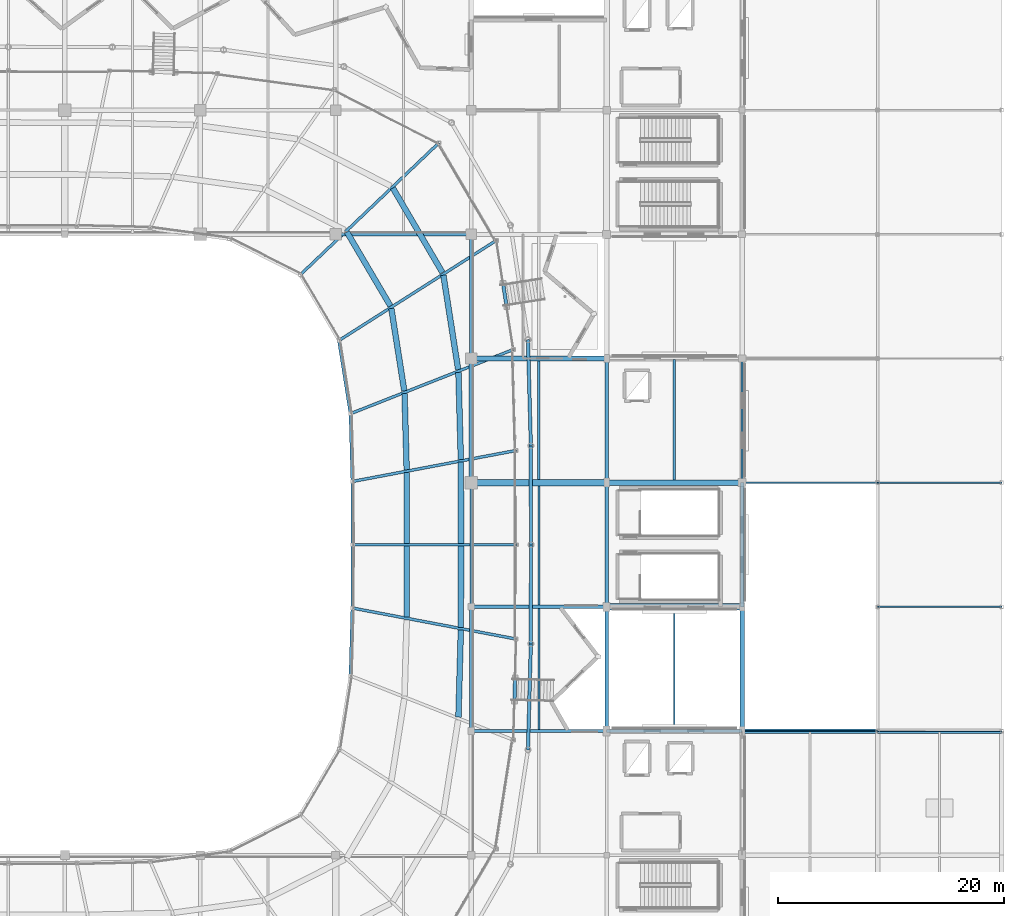
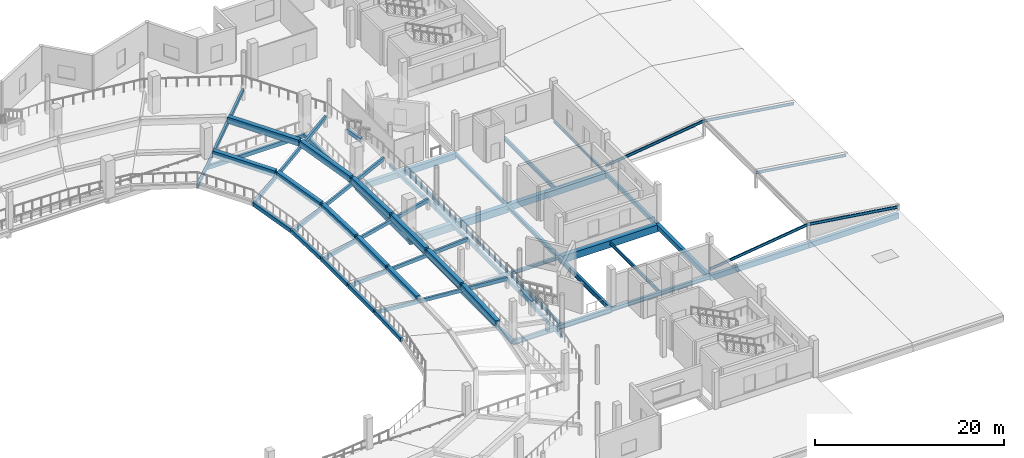
# One storey, part 33 of 77: 58 beams.
"""IFC4 building model written with IfcOpenShell, lengths in metres."""

from ifc_helpers import new_model, si_unit, direction, frame, origin, origin_2d, place, context, subcontext, project, spatial, rectangle, hollow_rectangle, i_section, extrude, material, material_profile, profile_set, type_object, element, save


model = new_model("IFC4")

# Units and contexts
model_context = context("Model", 3, precision=1e-05, world=origin(), true_north=direction((0.0, 1.0)))
body_context = subcontext(model_context, "Body", "Model", "MODEL_VIEW")
ifc_project = project(units=[si_unit("LENGTHUNIT", "METRE"), si_unit("AREAUNIT", "SQUARE_METRE"), si_unit("VOLUMEUNIT", "CUBIC_METRE"), si_unit("PLANEANGLEUNIT", "RADIAN"), si_unit("MASSUNIT", "GRAM", prefix="KILO")], contexts=[model_context])

# Site, building, storey
site_placement = place(None, origin())
site = spatial("IfcSite", under=ifc_project, at=site_placement, CompositionType="ELEMENT")
building_placement = place(site_placement, origin())
building = spatial("IfcBuilding", under=site, at=building_placement, Name="Luwafu Chhajja Arena", CompositionType="ELEMENT")
storey_placement = place(building_placement, frame((0.0, 0.0, 14.699951171875)))
storey = spatial("IfcBuildingStorey", under=building, at=storey_placement, Name="L03", CompositionType="ELEMENT", Elevation=14.699951171875)

# Beams
ifc_material_1 = material(Name="Steel S355", Category="steel")
ifc_material_profile_1 = material_profile(ifc_material_1, i_section(OverallWidth=0.1259765625, OverallDepth=0.353515625, WebThickness=0.006591796875, FlangeThickness=0.0107421875, at=origin_2d()), Name="UB 356x127x39")
ifc_profile_set_1 = profile_set([ifc_material_profile_1], Name="Steel S355")
beam_type_1 = type_object("IfcBeamType", Name="Canopy Joist UB 356x127x39", PredefinedType="JOIST", material=ifc_profile_set_1)
beam_1_placement = place(storey_placement, frame((176.0, 33.0, 1.920166015625), z_axis=(0.98958518785, 0.0, -0.143948449067), x_axis=(0.0, 1.0, 0.0)))
element("IfcBeam", 1, at=beam_1_placement, inside=storey, type_object=beam_type_1, Name="East Pavilion Rafter E 3", PredefinedType="JOIST", context=body_context, shape_type="SweptSolid", body=[
    extrude(i_section(OverallWidth=0.1259765625, OverallDepth=0.353515625, WebThickness=0.006591796875, FlangeThickness=0.0107421875, at=origin_2d()), origin(), (0.0, 0.0, 1.0), 11.11572265625),
])
beam_2_placement = place(storey_placement, frame((164.0, 33.0, 0.320068359375), z_axis=(0.991226843888, 0.0, 0.13217164581), x_axis=(0.0, 1.0, 0.0)))
element("IfcBeam", 2, at=beam_2_placement, inside=storey, type_object=beam_type_1, Name="East Pavilion Rafter W 3", PredefinedType="JOIST", context=body_context, shape_type="SweptSolid", body=[
    extrude(i_section(OverallWidth=0.1259765625, OverallDepth=0.353515625, WebThickness=0.006591796875, FlangeThickness=0.0107421875, at=origin_2d()), origin(), (0.0, 0.0, 1.0), 12.106201171875),
])
for number, where, z_axis, x_axis, name in (
    (3, (176.0, 44.0, 1.920166015625), (0.98958518785, 0.0, -0.143948449067), (0.0, 1.0, 0.0), "East Pavilion Rafter E 4"),
    (4, (176.0, 55.0, 1.920166015625), (0.98958518785, 0.0, -0.143948449067), (0.0, 1.0, 0.0), "East Pavilion Rafter E 5"),
):
    element("IfcBeam", number, at=place(storey_placement, frame(where, z_axis=z_axis, x_axis=x_axis)), inside=storey, type_object=beam_type_1, Name=name, PredefinedType="JOIST", context=body_context, shape_type="SweptSolid", body=[
        extrude(i_section(OverallWidth=0.1259765625, OverallDepth=0.353515625, WebThickness=0.006591796875, FlangeThickness=0.0107421875, at=origin_2d()), origin(), (0.0, 0.0, 1.0), 11.11572265625),
    ])
beam_3_placement = place(storey_placement, frame((164.0, 55.0, 0.320068359375), z_axis=(0.991226843888, 0.0, 0.13217164581), x_axis=(0.0, 1.0, 0.0)))
element("IfcBeam", 5, at=beam_3_placement, inside=storey, type_object=beam_type_1, Name="East Pavilion Rafter W 5", PredefinedType="JOIST", context=body_context, shape_type="SweptSolid", body=[
    extrude(i_section(OverallWidth=0.1259765625, OverallDepth=0.353515625, WebThickness=0.006591796875, FlangeThickness=0.0107421875, at=origin_2d()), origin(), (0.0, 0.0, 1.0), 12.106201171875),
])
ifc_material_profile_2 = material_profile(ifc_material_1, hollow_rectangle(XDim=0.25, YDim=0.449951171875, WallThickness=0.01611328125, at=origin_2d()), Name="RHS 450x250x16")
ifc_profile_set_2 = profile_set([ifc_material_profile_2], Name="Steel S355")
beam_type_2 = type_object("IfcBeamType", Name="Cantilevered Upper Bowl Raker RHS 450x250", PredefinedType="USERDEFINED", material=ifc_profile_set_2)
beam_4_placement = place(storey_placement, frame((129.5, 49.5, 0.239990234375), z_axis=(0.997723937694, 0.0, 0.067431032562), x_axis=(0.0, 1.0, 0.0)))
element("IfcBeam", 6, at=beam_4_placement, inside=storey, type_object=beam_type_2, Name="Upper Bowl Raker RKR-U01", ObjectType="RAKER", PredefinedType="USERDEFINED", context=body_context, shape_type="SweptSolid", body=[
    extrude(hollow_rectangle(XDim=0.25, YDim=0.449951171875, WallThickness=0.01611328125, at=origin_2d()), origin(), (0.0, 0.0, 1.0), 14.532958984375),
])
beam_5_placement = place(storey_placement, frame((129.49169921875, 55.10791015625, 0.239990234375), z_axis=(0.980389588619, 0.185589783348, 0.066277347897), x_axis=(-0.185998750089, 0.982549980899, 0.0)))
element("IfcBeam", 7, at=beam_5_placement, inside=storey, type_object=beam_type_2, Name="Upper Bowl Raker RKR-U02", ObjectType="RAKER", PredefinedType="USERDEFINED", context=body_context, shape_type="SweptSolid", body=[
    extrude(hollow_rectangle(XDim=0.25, YDim=0.449951171875, WallThickness=0.01611328125, at=origin_2d()), origin(), (0.0, 0.0, 1.0), 14.7861328125),
])
beam_6_placement = place(storey_placement, frame((129.323486328125, 61.11328125, 0.239990234375), z_axis=(0.928463965144, 0.366020596475, 0.063115674639), x_axis=(-0.366751819568, 0.930318817849, 0.0)))
element("IfcBeam", 8, at=beam_6_placement, inside=storey, type_object=beam_type_2, Name="Upper Bowl Raker RKR-U03", ObjectType="RAKER", PredefinedType="USERDEFINED", context=body_context, shape_type="SweptSolid", body=[
    extrude(hollow_rectangle(XDim=0.25, YDim=0.449951171875, WallThickness=0.01611328125, at=origin_2d()), origin(), (0.0, 0.0, 1.0), 15.52685546875),
])
beam_7_placement = place(storey_placement, frame((128.298583984375, 67.600341796875, 0.239990234375), z_axis=(0.842344515342, 0.535670990695, 0.059264721387), x_axis=(-0.536614196584, 0.843827709917, 0.0)))
element("IfcBeam", 9, at=beam_7_placement, inside=storey, type_object=beam_type_2, Name="Upper Bowl Raker RKR-U04", ObjectType="RAKER", PredefinedType="USERDEFINED", context=body_context, shape_type="SweptSolid", body=[
    extrude(hollow_rectangle(XDim=0.25, YDim=0.449951171875, WallThickness=0.01611328125, at=origin_2d()), origin(), (0.0, 0.0, 1.0), 16.53564453125),
])
beam_8_placement = place(storey_placement, frame((124.85986328125, 73.409912109375, 0.239990234375), z_axis=(0.723171081086, 0.688259076596, 0.057645736744), x_axis=(-0.689405487669, 0.724375643966, 0.0)))
element("IfcBeam", 10, at=beam_8_placement, inside=storey, type_object=beam_type_2, Name="Upper Bowl Raker RKR-U05", ObjectType="RAKER", PredefinedType="USERDEFINED", context=body_context, shape_type="SweptSolid", body=[
    extrude(hollow_rectangle(XDim=0.25, YDim=0.449951171875, WallThickness=0.01611328125, at=origin_2d()), origin(), (0.0, 0.0, 1.0), 17.0),
])
beam_9_placement = place(storey_placement, frame((129.49169921875, 43.89208984375, 0.239990234375), z_axis=(0.980389588619, -0.185589783348, 0.066277347897), x_axis=(0.185998750089, 0.982549980899, 0.0)))
element("IfcBeam", 11, at=beam_9_placement, inside=storey, type_object=beam_type_2, Name="Upper Bowl Raker RKR-U32", ObjectType="RAKER", PredefinedType="USERDEFINED", context=body_context, shape_type="SweptSolid", body=[
    extrude(hollow_rectangle(XDim=0.25, YDim=0.449951171875, WallThickness=0.01611328125, at=origin_2d()), origin(), (0.0, 0.0, 1.0), 14.7861328125),
])
ifc_material_profile_3 = material_profile(ifc_material_1, i_section(OverallWidth=0.165771484375, OverallDepth=0.306640625, WebThickness=0.006591796875, FlangeThickness=0.01171875, at=origin_2d()), Name="UB 305x165x46")
ifc_profile_set_3 = profile_set([ifc_material_profile_3], Name="Steel S355")
beam_type_3 = type_object("IfcBeamType", Name="Concourse Edge Spandrel Beam UB 305x165x46", PredefinedType="SPANDREL", material=ifc_profile_set_3)
for number, where, z_axis, x_axis, name in (
    (12, (140.0, 44.0, -0.543212890625), (0.0, 1.0, 0.0), (-1.0, 0.0, 0.0), "L03 Grid Beam 13/E-F"),
    (13, (164.0, 55.0, -0.543212890625), (0.0, 1.0, 0.0), (-1.0, 0.0, 0.0), "L03 Grid Beam 15/F-G"),
):
    element("IfcBeam", number, at=place(storey_placement, frame(where, z_axis=z_axis, x_axis=x_axis)), inside=storey, type_object=beam_type_3, Name=name, PredefinedType="SPANDREL", context=body_context, shape_type="SweptSolid", body=[
        extrude(i_section(OverallWidth=0.165771484375, OverallDepth=0.306640625, WebThickness=0.006591796875, FlangeThickness=0.01171875, at=origin_2d()), origin(), (0.0, 0.0, 1.0), 11.0),
    ])
ifc_material_2 = material(Name="Concrete C35/45", Category="concrete")
ifc_material_profile_4 = material_profile(ifc_material_2, rectangle(XDim=0.60009765625, YDim=0.89990234375, at=origin_2d()), Name="RC 600x900")
ifc_profile_set_4 = profile_set([ifc_material_profile_4], Name="Concrete C35/45")
beam_type_4 = type_object("IfcBeamType", Name="Concourse Primary Girder RC 600x900", PredefinedType="BEAM", material=ifc_profile_set_4)
beam_10_placement = place(storey_placement, frame((152.0, 44.0, -0.83984375), z_axis=(1.0, 0.0, 0.0), x_axis=(0.0, 1.0, 0.0)))
element("IfcBeam", 14, at=beam_10_placement, inside=storey, type_object=beam_type_4, Name="L03 Grid Beam 14-15/E", PredefinedType="BEAM", context=body_context, shape_type="SweptSolid", body=[
    extrude(rectangle(XDim=0.60009765625, YDim=0.89990234375, at=origin_2d()), origin(), (0.0, 0.0, 1.0), 12.0),
])
ifc_material_profile_5 = material_profile(ifc_material_2, rectangle(XDim=0.550048828125, YDim=0.949951171875, at=origin_2d()), Name="RC 550x950")
ifc_profile_set_5 = profile_set([ifc_material_profile_5], Name="Concrete C35/45")
beam_type_5 = type_object("IfcBeamType", Name="Concourse Radial Girder RC 550x950", PredefinedType="BEAM", material=ifc_profile_set_5)
beam_11_placement = place(storey_placement, frame((140.0, 55.0, -0.864990234375), z_axis=(1.0, 0.0, 0.0), x_axis=(0.0, 1.0, 0.0)))
element("IfcBeam", 15, at=beam_11_placement, inside=storey, type_object=beam_type_5, Name="L03 Grid Beam 13-14/F", PredefinedType="BEAM", context=body_context, shape_type="SweptSolid", body=[
    extrude(rectangle(XDim=0.550048828125, YDim=0.949951171875, at=origin_2d()), origin(), (0.0, 0.0, 1.0), 12.0),
])
ifc_material_profile_6 = material_profile(ifc_material_1, i_section(OverallWidth=0.15283203125, OverallDepth=0.45458984375, WebThickness=0.008056640625, FlangeThickness=0.01318359375, at=origin_2d()), Name="UB 457x152x60")
ifc_profile_set_6 = profile_set([ifc_material_profile_6], Name="Steel S355")
beam_type_6 = type_object("IfcBeamType", Name="Floor Joist UB 457x152x60", PredefinedType="JOIST", material=ifc_profile_set_6)
beam_12_placement = place(storey_placement, frame((146.0, 44.14990234375, -0.6171875), z_axis=(0.0, 1.0, 0.0), x_axis=(-1.0, 0.0, 0.0)))
element("IfcBeam", 16, at=beam_12_placement, inside=storey, type_object=beam_type_6, Name="L03 Secondary Joist 13-14/E", PredefinedType="JOIST", context=body_context, shape_type="SweptSolid", body=[
    extrude(i_section(OverallWidth=0.15283203125, OverallDepth=0.45458984375, WebThickness=0.008056640625, FlangeThickness=0.01318359375, at=origin_2d()), origin(), (0.0, 0.0, 1.0), 10.5751953125),
])
beam_13_placement = place(storey_placement, frame((158.0, 33.14990234375, -0.6171875), z_axis=(0.0, 1.0, 0.0), x_axis=(-1.0, 0.0, 0.0)))
element("IfcBeam", 17, at=beam_13_placement, inside=storey, type_object=beam_type_6, Name="L03 Secondary Joist 14-15/D", PredefinedType="JOIST", context=body_context, shape_type="SweptSolid", body=[
    extrude(i_section(OverallWidth=0.15283203125, OverallDepth=0.45458984375, WebThickness=0.008056640625, FlangeThickness=0.01318359375, at=origin_2d()), origin(), (0.0, 0.0, 1.0), 10.550048828125),
])
ifc_material_profile_7 = material_profile(ifc_material_1, i_section(OverallWidth=0.19140625, OverallDepth=0.4599609375, WebThickness=0.010009765625, FlangeThickness=0.01611328125, at=origin_2d()), Name="UB 457x191x82")
ifc_profile_set_7 = profile_set([ifc_material_profile_7], Name="Steel S355")
beam_type_7 = type_object("IfcBeamType", Name="Floor Joist UB 457x191x82", PredefinedType="JOIST", material=ifc_profile_set_7)
beam_14_placement = place(storey_placement, frame((146.0, 33.14990234375, -0.619873046875), z_axis=(0.0, 1.0, 0.0), x_axis=(-1.0, 0.0, 0.0)))
element("IfcBeam", 18, at=beam_14_placement, inside=storey, type_object=beam_type_7, Name="L03 Secondary Joist 13-14/D", PredefinedType="JOIST", context=body_context, shape_type="SweptSolid", body=[
    extrude(i_section(OverallWidth=0.19140625, OverallDepth=0.4599609375, WebThickness=0.010009765625, FlangeThickness=0.01611328125, at=origin_2d()), origin(), (0.0, 0.0, 1.0), 10.7001953125),
])
ifc_material_profile_8 = material_profile(ifc_material_1, i_section(OverallWidth=0.2099609375, OverallDepth=0.53662109375, WebThickness=0.0107421875, FlangeThickness=0.017333984375, at=origin_2d()), Name="UB 533x210x101")
ifc_profile_set_8 = profile_set([ifc_material_profile_8], Name="Steel S355")
beam_type_8 = type_object("IfcBeamType", Name="Floor Joist UB 533x210x101", PredefinedType="JOIST", material=ifc_profile_set_8)
beam_15_placement = place(storey_placement, frame((146.0, 55.27490234375, -0.658203125), z_axis=(0.0, 1.0, 0.0), x_axis=(-1.0, 0.0, 0.0)))
element("IfcBeam", 19, at=beam_15_placement, inside=storey, type_object=beam_type_8, Name="L03 Secondary Joist 13-14/F", PredefinedType="JOIST", context=body_context, shape_type="SweptSolid", body=[
    extrude(i_section(OverallWidth=0.2099609375, OverallDepth=0.53662109375, WebThickness=0.0107421875, FlangeThickness=0.017333984375, at=origin_2d()), origin(), (0.0, 0.0, 1.0), 10.5),
])
ifc_material_profile_9 = material_profile(ifc_material_1, i_section(OverallWidth=0.209228515625, OverallDepth=0.533203125, WebThickness=0.010009765625, FlangeThickness=0.015625, at=origin_2d()), Name="UB 533x210x92")
ifc_profile_set_9 = profile_set([ifc_material_profile_9], Name="Steel S355")
beam_type_9 = type_object("IfcBeamType", Name="Floor Joist UB 533x210x92", PredefinedType="JOIST", material=ifc_profile_set_9)
beam_16_placement = place(storey_placement, frame((158.0, 55.25, -0.656494140625), z_axis=(0.0, 1.0, 0.0), x_axis=(-1.0, 0.0, 0.0)))
element("IfcBeam", 20, at=beam_16_placement, inside=storey, type_object=beam_type_9, Name="L03 Secondary Joist 14-15/F", PredefinedType="JOIST", context=body_context, shape_type="SweptSolid", body=[
    extrude(i_section(OverallWidth=0.209228515625, OverallDepth=0.533203125, WebThickness=0.010009765625, FlangeThickness=0.015625, at=origin_2d()), origin(), (0.0, 0.0, 1.0), 10.667236328125),
])
ifc_material_profile_10 = material_profile(ifc_material_2, rectangle(XDim=0.5, YDim=0.800048828125, at=origin_2d()), Name="RC 500x800")
ifc_profile_set_10 = profile_set([ifc_material_profile_10], Name="Concrete C35/45")
beam_type_10 = type_object("IfcBeamType", Name="Hospitality Primary Beam RC 500x800", PredefinedType="BEAM", material=ifc_profile_set_10)
beam_17_placement = place(storey_placement, frame((152.0, 55.0, -0.7900390625), z_axis=(1.0, 0.0, 0.0), x_axis=(0.0, 1.0, 0.0)))
element("IfcBeam", 21, at=beam_17_placement, inside=storey, type_object=beam_type_10, Name="L03 Grid Beam 14-15/F", PredefinedType="BEAM", context=body_context, shape_type="SweptSolid", body=[
    extrude(rectangle(XDim=0.5, YDim=0.800048828125, at=origin_2d()), origin(), (0.0, 0.0, 1.0), 12.0),
])
beam_18_placement = place(storey_placement, frame((134.2998046875, 49.625, 0.800048828125), z_axis=(-0.001440079463, 0.999998963085, 0.0), x_axis=(-0.999998963085, -0.001440079463, 0.0)))
element("IfcBeam", 22, at=beam_18_placement, inside=storey, type_object=beam_type_10, Name="Upper Tier Ring Beam S01-B2", PredefinedType="BEAM", context=body_context, shape_type="SweptSolid", body=[
    extrude(rectangle(XDim=0.5, YDim=0.800048828125, at=origin_2d()), origin(), (0.0, 0.0, 1.0), 6.272705078125),
])
beam_19_placement = place(storey_placement, frame((139.099853515625, 49.625, 1.380126953125), z_axis=(-0.001460645882, 0.999998933256, 0.0), x_axis=(-0.999998933256, -0.001460645882, 0.0)))
element("IfcBeam", 23, at=beam_19_placement, inside=storey, type_object=beam_type_10, Name="Upper Tier Ring Beam S01-B3", PredefinedType="BEAM", context=body_context, shape_type="SweptSolid", body=[
    extrude(rectangle(XDim=0.5, YDim=0.800048828125, at=origin_2d()), origin(), (0.0, 0.0, 1.0), 7.187255859375),
])
beam_20_placement = place(storey_placement, frame((134.287109375, 56.147705078125, 0.800048828125), z_axis=(-0.027901842029, 0.999610667816, 0.0), x_axis=(-0.999610667816, -0.027901842029, 0.0)))
element("IfcBeam", 24, at=beam_20_placement, inside=storey, type_object=beam_type_10, Name="Upper Tier Ring Beam S02-B2", PredefinedType="BEAM", context=body_context, shape_type="SweptSolid", body=[
    extrude(rectangle(XDim=0.5, YDim=0.800048828125, at=origin_2d()), origin(), (0.0, 0.0, 1.0), 6.737548828125),
])
beam_21_placement = place(storey_placement, frame((139.085693359375, 57.062255859375, 1.380126953125), z_axis=(-0.027774969732, 0.999614201108, 0.0), x_axis=(-0.999614201108, -0.027774969732, 0.0)))
element("IfcBeam", 25, at=beam_21_placement, inside=storey, type_object=beam_type_10, Name="Upper Tier Ring Beam S02-B3", PredefinedType="BEAM", context=body_context, shape_type="SweptSolid", body=[
    extrude(rectangle(XDim=0.5, YDim=0.800048828125, at=origin_2d()), origin(), (0.0, 0.0, 1.0), 7.717529296875),
])
beam_22_placement = place(storey_placement, frame((134.076416015625, 63.131103515625, 0.800048828125), z_axis=(-0.1553465585, 0.987860033994, 0.0), x_axis=(-0.987860033994, -0.1553465585, 0.0)))
element("IfcBeam", 26, at=beam_22_placement, inside=storey, type_object=beam_type_10, Name="Upper Tier Ring Beam S03-B2", PredefinedType="BEAM", context=body_context, shape_type="SweptSolid", body=[
    extrude(rectangle(XDim=0.5, YDim=0.800048828125, at=origin_2d()), origin(), (0.0, 0.0, 1.0), 7.387939453125),
])
beam_23_placement = place(storey_placement, frame((138.8486328125, 65.025390625, 1.380126953125), z_axis=(-0.154767809248, 0.987950871866, 0.0), x_axis=(-0.987950871866, -0.154767809248, 0.0)))
element("IfcBeam", 27, at=beam_23_placement, inside=storey, type_object=beam_type_10, Name="Upper Tier Ring Beam S03-B3", PredefinedType="BEAM", context=body_context, shape_type="SweptSolid", body=[
    extrude(rectangle(XDim=0.5, YDim=0.800048828125, at=origin_2d()), origin(), (0.0, 0.0, 1.0), 8.458251953125),
])
beam_24_placement = place(storey_placement, frame((132.845947265625, 70.66064453125, 0.800048828125), z_axis=(-0.507517540406, 0.861641425525, 0.0), x_axis=(-0.861641425525, -0.507517540406, 0.0)))
element("IfcBeam", 28, at=beam_24_placement, inside=storey, type_object=beam_type_10, Name="Upper Tier Ring Beam S04-B2", PredefinedType="BEAM", context=body_context, shape_type="SweptSolid", body=[
    extrude(rectangle(XDim=0.5, YDim=0.800048828125, at=origin_2d()), origin(), (0.0, 0.0, 1.0), 7.591796875),
])
beam_25_placement = place(storey_placement, frame((137.45703125, 73.61328125, 1.380126953125), z_axis=(-0.506098278206, 0.862475815775, 0.0), x_axis=(-0.862475815775, -0.506098278206, 0.0)))
element("IfcBeam", 29, at=beam_25_placement, inside=storey, type_object=beam_type_10, Name="Upper Tier Ring Beam S04-B3", PredefinedType="BEAM", context=body_context, shape_type="SweptSolid", body=[
    extrude(rectangle(XDim=0.5, YDim=0.800048828125, at=origin_2d()), origin(), (0.0, 0.0, 1.0), 8.68310546875),
])
beam_26_placement = place(storey_placement, frame((138.871337890625, 34.22314453125, 1.380126953125), z_axis=(0.027774969732, 0.999614201108, 0.0), x_axis=(-0.999614201108, 0.027774969732, 0.0)))
element("IfcBeam", 30, at=beam_26_placement, inside=storey, type_object=beam_type_10, Name="Upper Tier Ring Beam S31-B3", PredefinedType="BEAM", context=body_context, shape_type="SweptSolid", body=[
    extrude(rectangle(XDim=0.5, YDim=0.800048828125, at=origin_2d()), origin(), (0.0, 0.0, 1.0), 7.717529296875),
])
beam_27_placement = place(storey_placement, frame((134.290771484375, 43.102294921875, 0.800048828125), z_axis=(0.001440079463, 0.999998963085, 0.0), x_axis=(-0.999998963085, 0.001440079463, 0.0)))
element("IfcBeam", 31, at=beam_27_placement, inside=storey, type_object=beam_type_10, Name="Upper Tier Ring Beam S32-B2", PredefinedType="BEAM", context=body_context, shape_type="SweptSolid", body=[
    extrude(rectangle(XDim=0.5, YDim=0.800048828125, at=origin_2d()), origin(), (0.0, 0.0, 1.0), 6.272705078125),
])
beam_28_placement = place(storey_placement, frame((139.08935546875, 42.187744140625, 1.380126953125), z_axis=(0.001460645882, 0.999998933256, 0.0), x_axis=(-0.999998933256, 0.001460645882, 0.0)))
element("IfcBeam", 32, at=beam_28_placement, inside=storey, type_object=beam_type_10, Name="Upper Tier Ring Beam S32-B3", PredefinedType="BEAM", context=body_context, shape_type="SweptSolid", body=[
    extrude(rectangle(XDim=0.5, YDim=0.800048828125, at=origin_2d()), origin(), (0.0, 0.0, 1.0), 7.187255859375),
])
ifc_material_profile_11 = material_profile(ifc_material_1, hollow_rectangle(XDim=0.300048828125, YDim=0.5, WallThickness=0.02001953125, at=origin_2d()), Name="RHS 500x300x20")
ifc_profile_set_11 = profile_set([ifc_material_profile_11], Name="Steel S355")
beam_type_11 = type_object("IfcBeamType", Name="Pleated Drum Spandrel Beam RHS 500x300", PredefinedType="SPANDREL", material=ifc_profile_set_11)
beam_29_placement = place(storey_placement, frame((128.0, 77.0, -0.639892578125), z_axis=(1.0, 0.0, 0.0), x_axis=(0.0, 1.0, 0.0)))
element("IfcBeam", 33, at=beam_29_placement, inside=storey, type_object=beam_type_11, Name="L03 Grid Beam 12-13/H", PredefinedType="SPANDREL", context=body_context, shape_type="SweptSolid", body=[
    extrude(hollow_rectangle(XDim=0.300048828125, YDim=0.5, WallThickness=0.02001953125, at=origin_2d()), origin(), (0.0, 0.0, 1.0), 12.0),
])
for number, where, z_axis, x_axis, name in (
    (34, (140.0, 33.0, -0.639892578125), (0.0, 1.0, 0.0), (-1.0, 0.0, 0.0), "L03 Grid Beam 13/D-E"),
    (35, (140.0, 66.0, -0.639892578125), (0.0, 1.0, 0.0), (-1.0, 0.0, 0.0), "L03 Grid Beam 13/G-H"),
    (36, (164.0, 44.0, -0.639892578125), (0.0, 1.0, 0.0), (-1.0, 0.0, 0.0), "L03 Grid Beam 15/E-F"),
):
    element("IfcBeam", number, at=place(storey_placement, frame(where, z_axis=z_axis, x_axis=x_axis)), inside=storey, type_object=beam_type_11, Name=name, PredefinedType="SPANDREL", context=body_context, shape_type="SweptSolid", body=[
        extrude(hollow_rectangle(XDim=0.300048828125, YDim=0.5, WallThickness=0.02001953125, at=origin_2d()), origin(), (0.0, 0.0, 1.0), 11.0),
    ])
beam_30_placement = place(storey_placement, frame((145.300048828125, 49.5, -0.639892578125), z_axis=(-0.001419780869, 0.999998992111, 0.0), x_axis=(-0.999998992111, -0.001419780869, 0.0)))
element("IfcBeam", 37, at=beam_30_placement, inside=storey, type_object=beam_type_11, Name="L03 Drum Ring Spandrel D01-D02", PredefinedType="SPANDREL", context=body_context, shape_type="SweptSolid", body=[
    extrude(hollow_rectangle(XDim=0.300048828125, YDim=0.5, WallThickness=0.02001953125, at=origin_2d()), origin(), (0.0, 0.0, 1.0), 8.769775390625),
])
for number, where, z_axis, x_axis, name in (
    (38, (145.28759765625, 58.269775390625, -0.639892578125), (-0.02720805866, 0.999629792245, 0.0), (-0.999629792245, -0.02720805866, 0.0), "L03 Drum Ring Spandrel D02-D03"),
    (39, (145.031982421875, 31.3388671875, -0.639892578125), (0.02720805866, 0.999629792245, 0.0), (-0.999629792245, 0.02720805866, 0.0), "L03 Drum Ring Spandrel D31-D32"),
):
    element("IfcBeam", number, at=place(storey_placement, frame(where, z_axis=z_axis, x_axis=x_axis)), inside=storey, type_object=beam_type_11, Name=name, PredefinedType="SPANDREL", context=body_context, shape_type="SweptSolid", body=[
        extrude(hollow_rectangle(XDim=0.300048828125, YDim=0.5, WallThickness=0.02001953125, at=origin_2d()), origin(), (0.0, 0.0, 1.0), 9.394775390625),
    ])
beam_31_placement = place(storey_placement, frame((145.28759765625, 40.730224609375, -0.639892578125), z_axis=(0.001419780869, 0.999998992111, 0.0), x_axis=(-0.999998992111, 0.001419780869, 0.0)))
element("IfcBeam", 40, at=beam_31_placement, inside=storey, type_object=beam_type_11, Name="L03 Drum Ring Spandrel D32-D01", PredefinedType="SPANDREL", context=body_context, shape_type="SweptSolid", body=[
    extrude(hollow_rectangle(XDim=0.300048828125, YDim=0.5, WallThickness=0.02001953125, at=origin_2d()), origin(), (0.0, 0.0, 1.0), 8.769775390625),
])
ifc_material_profile_12 = material_profile(ifc_material_2, rectangle(XDim=0.39990234375, YDim=0.60009765625, at=origin_2d()), Name="RC 400x600")
ifc_profile_set_12 = profile_set([ifc_material_profile_12], Name="Concrete C35/45")
beam_type_12 = type_object("IfcBeamType", Name="Podium Perimeter Spandrel RC 400x600", PredefinedType="SPANDREL", material=ifc_profile_set_12)
for number, where, z_axis, x_axis, name in (
    (41, (140.0, 55.0, -0.68994140625), (0.0, 1.0, 0.0), (-1.0, 0.0, 0.0), "L03 Grid Beam 13/F-G"),
    (42, (164.0, 33.0, -0.68994140625), (0.0, 1.0, 0.0), (-1.0, 0.0, 0.0), "L03 Grid Beam 15/D-E"),
):
    element("IfcBeam", number, at=place(storey_placement, frame(where, z_axis=z_axis, x_axis=x_axis)), inside=storey, type_object=beam_type_12, Name=name, PredefinedType="SPANDREL", context=body_context, shape_type="SweptSolid", body=[
        extrude(rectangle(XDim=0.39990234375, YDim=0.60009765625, at=origin_2d()), origin(), (0.0, 0.0, 1.0), 11.0),
    ])
ifc_material_profile_13 = material_profile(ifc_material_1, i_section(OverallWidth=0.300048828125, OverallDepth=0.5, WebThickness=0.014404296875, FlangeThickness=0.028076171875, at=origin_2d()), Name="HEB 500")
ifc_profile_set_13 = profile_set([ifc_material_profile_13], Name="Steel S355")
beam_type_13 = type_object("IfcBeamType", Name="Steel Atrium Tie Girder HEB 500", PredefinedType="BEAM", material=ifc_profile_set_13)
beam_32_placement = place(storey_placement, frame((152.0, 33.0, -0.639892578125), z_axis=(1.0, 0.0, 0.0), x_axis=(0.0, 1.0, 0.0)))
element("IfcBeam", 43, at=beam_32_placement, inside=storey, type_object=beam_type_13, Name="L03 Grid Beam 14-15/D", PredefinedType="BEAM", context=body_context, shape_type="SweptSolid", body=[
    extrude(i_section(OverallWidth=0.300048828125, OverallDepth=0.5, WebThickness=0.014404296875, FlangeThickness=0.028076171875, at=origin_2d()), origin(), (0.0, 0.0, 1.0), 12.0),
])
beam_33_placement = place(storey_placement, frame((152.0, 44.0, -0.639892578125), z_axis=(0.0, 1.0, 0.0), x_axis=(-1.0, 0.0, 0.0)))
element("IfcBeam", 44, at=beam_33_placement, inside=storey, type_object=beam_type_13, Name="L03 Grid Beam 14/E-F", PredefinedType="BEAM", context=body_context, shape_type="SweptSolid", body=[
    extrude(i_section(OverallWidth=0.300048828125, OverallDepth=0.5, WebThickness=0.014404296875, FlangeThickness=0.028076171875, at=origin_2d()), origin(), (0.0, 0.0, 1.0), 11.0),
])
ifc_material_profile_14 = material_profile(ifc_material_1, i_section(OverallWidth=0.300048828125, OverallDepth=0.60009765625, WebThickness=0.015380859375, FlangeThickness=0.030029296875, at=origin_2d()), Name="HEB 600")
ifc_profile_set_14 = profile_set([ifc_material_profile_14], Name="Steel S355")
beam_type_14 = type_object("IfcBeamType", Name="Steel Gallery Girder HEB 600", PredefinedType="BEAM", material=ifc_profile_set_14)
beam_34_placement = place(storey_placement, frame((140.0, 33.0, -0.68994140625), z_axis=(1.0, 0.0, 0.0), x_axis=(0.0, 1.0, 0.0)))
element("IfcBeam", 45, at=beam_34_placement, inside=storey, type_object=beam_type_14, Name="L03 Grid Beam 13-14/D", PredefinedType="BEAM", context=body_context, shape_type="SweptSolid", body=[
    extrude(i_section(OverallWidth=0.300048828125, OverallDepth=0.60009765625, WebThickness=0.015380859375, FlangeThickness=0.030029296875, at=origin_2d()), origin(), (0.0, 0.0, 1.0), 12.0),
])
beam_35_placement = place(storey_placement, frame((152.0, 33.0, -0.68994140625), z_axis=(0.0, 1.0, 0.0), x_axis=(-1.0, 0.0, 0.0)))
element("IfcBeam", 46, at=beam_35_placement, inside=storey, type_object=beam_type_14, Name="L03 Grid Beam 14/D-E", PredefinedType="BEAM", context=body_context, shape_type="SweptSolid", body=[
    extrude(i_section(OverallWidth=0.300048828125, OverallDepth=0.60009765625, WebThickness=0.015380859375, FlangeThickness=0.030029296875, at=origin_2d()), origin(), (0.0, 0.0, 1.0), 11.0),
])
ifc_material_profile_15 = material_profile(ifc_material_1, i_section(OverallWidth=0.300048828125, OverallDepth=0.39990234375, WebThickness=0.013427734375, FlangeThickness=0.02392578125, at=origin_2d()), Name="HEB 400")
ifc_profile_set_15 = profile_set([ifc_material_profile_15], Name="Steel S355")
beam_type_15 = type_object("IfcBeamType", Name="Steel Rigging Grid Beam HEB 400", PredefinedType="BEAM", material=ifc_profile_set_15)
beam_36_placement = place(storey_placement, frame((140.0, 44.0, -0.58984375), z_axis=(1.0, 0.0, 0.0), x_axis=(0.0, 1.0, 0.0)))
element("IfcBeam", 47, at=beam_36_placement, inside=storey, type_object=beam_type_15, Name="L03 Grid Beam 13-14/E", PredefinedType="BEAM", context=body_context, shape_type="SweptSolid", body=[
    extrude(i_section(OverallWidth=0.300048828125, OverallDepth=0.39990234375, WebThickness=0.013427734375, FlangeThickness=0.02392578125, at=origin_2d()), origin(), (0.0, 0.0, 1.0), 12.0),
])
beam_37_placement = place(storey_placement, frame((152.0, 55.0, -0.58984375), z_axis=(0.0, 1.0, 0.0), x_axis=(-1.0, 0.0, 0.0)))
element("IfcBeam", 48, at=beam_37_placement, inside=storey, type_object=beam_type_15, Name="L03 Grid Beam 14/F-G", PredefinedType="BEAM", context=body_context, shape_type="SweptSolid", body=[
    extrude(i_section(OverallWidth=0.300048828125, OverallDepth=0.39990234375, WebThickness=0.013427734375, FlangeThickness=0.02392578125, at=origin_2d()), origin(), (0.0, 0.0, 1.0), 11.0),
])
ifc_material_3 = material(Name="Precast concrete C40/50", Category="concrete")
ifc_material_profile_16 = material_profile(ifc_material_3, rectangle(XDim=0.300048828125, YDim=0.5, at=origin_2d()), Name="RC 300x500")
ifc_profile_set_16 = profile_set([ifc_material_profile_16], Name="Precast concrete C40/50")
beam_type_16 = type_object("IfcBeamType", Name="Tier Support Beam RC 300x500", PredefinedType="BEAM", material=ifc_profile_set_16)
beam_38_placement = place(storey_placement, frame((129.499755859375, 49.625, 0.340087890625), z_axis=(-0.001458122937, 0.999998936938, 0.0), x_axis=(-0.999998936938, -0.001458122937, 0.0)))
element("IfcBeam", 49, at=beam_38_placement, inside=storey, type_object=beam_type_16, Name="Upper Tier Ring Beam S01-B1", PredefinedType="BEAM", context=body_context, shape_type="SweptSolid", body=[
    extrude(rectangle(XDim=0.300048828125, YDim=0.5, at=origin_2d()), origin(), (0.0, 0.0, 1.0), 5.35791015625),
])
beam_39_placement = place(storey_placement, frame((129.48828125, 55.23291015625, 0.340087890625), z_axis=(-0.028028349539, 0.999607128637, 0.0), x_axis=(-0.999607128637, -0.028028349539, 0.0)))
element("IfcBeam", 50, at=beam_39_placement, inside=storey, type_object=beam_type_16, Name="Upper Tier Ring Beam S02-B1", PredefinedType="BEAM", context=body_context, shape_type="SweptSolid", body=[
    extrude(rectangle(XDim=0.300048828125, YDim=0.5, at=origin_2d()), origin(), (0.0, 0.0, 1.0), 5.757568359375),
])
beam_40_placement = place(storey_placement, frame((129.303955078125, 61.23681640625, 0.340087890625), z_axis=(-0.156051876046, 0.987748860785, 0.0), x_axis=(-0.987748860785, -0.156051876046, 0.0)))
element("IfcBeam", 51, at=beam_40_placement, inside=storey, type_object=beam_type_16, Name="Upper Tier Ring Beam S03-B1", PredefinedType="BEAM", context=body_context, shape_type="SweptSolid", body=[
    extrude(rectangle(XDim=0.300048828125, YDim=0.5, at=origin_2d()), origin(), (0.0, 0.0, 1.0), 6.3173828125),
])
beam_41_placement = place(storey_placement, frame((143.1611328125, 70.490966796875, 1.550048828125), z_axis=(-0.154561459509, 0.987983175583, 0.0), x_axis=(-0.987983175583, -0.154561459509, 0.0)))
element("IfcBeam", 52, at=beam_41_placement, inside=storey, type_object=beam_type_16, Name="L03 Vomitory Header Beam S03", PredefinedType="BEAM", context=body_context, shape_type="SweptSolid", body=[
    extrude(rectangle(XDim=0.300048828125, YDim=0.5, at=origin_2d()), origin(), (0.0, 0.0, 1.0), 2.2998046875),
])
beam_42_placement = place(storey_placement, frame((129.326904296875, 38.01171875, 0.340087890625), z_axis=(0.028028349539, 0.999607128637, 0.0), x_axis=(-0.999607128637, 0.028028349539, 0.0)))
element("IfcBeam", 53, at=beam_42_placement, inside=storey, type_object=beam_type_16, Name="Upper Tier Ring Beam S31-B1", PredefinedType="BEAM", context=body_context, shape_type="SweptSolid", body=[
    extrude(rectangle(XDim=0.300048828125, YDim=0.5, at=origin_2d()), origin(), (0.0, 0.0, 1.0), 5.757568359375),
])
beam_43_placement = place(storey_placement, frame((143.831787109375, 35.526123046875, 1.550048828125), z_axis=(0.027702254527, 0.999616218903, 0.0), x_axis=(-0.999616218903, 0.027702254527, 0.0)))
element("IfcBeam", 54, at=beam_43_placement, inside=storey, type_object=beam_type_16, Name="L03 Vomitory Header Beam S31", PredefinedType="BEAM", context=body_context, shape_type="SweptSolid", body=[
    extrude(rectangle(XDim=0.300048828125, YDim=0.5, at=origin_2d()), origin(), (0.0, 0.0, 1.0), 2.30029296875),
])
beam_44_placement = place(storey_placement, frame((129.491943359375, 44.01708984375, 0.340087890625), z_axis=(0.001458122937, 0.999998936938, 0.0), x_axis=(-0.999998936938, 0.001458122937, 0.0)))
element("IfcBeam", 55, at=beam_44_placement, inside=storey, type_object=beam_type_16, Name="Upper Tier Ring Beam S32-B1", PredefinedType="BEAM", context=body_context, shape_type="SweptSolid", body=[
    extrude(rectangle(XDim=0.300048828125, YDim=0.5, at=origin_2d()), origin(), (0.0, 0.0, 1.0), 5.35791015625),
])
ifc_material_profile_17 = material_profile(ifc_material_2, rectangle(XDim=0.39990234375, YDim=0.699951171875, at=origin_2d()), Name="RC 400x700")
ifc_profile_set_17 = profile_set([ifc_material_profile_17], Name="Concrete C35/45")
beam_type_17 = type_object("IfcBeamType", Name="Wing Frame Beam RC 400x700", PredefinedType="BEAM", material=ifc_profile_set_17)
beam_45_placement = place(storey_placement, frame((164.0, 33.0, -0.724853515625), z_axis=(1.0, 0.0, 0.0), x_axis=(0.0, 1.0, 0.0)))
element("IfcBeam", 56, at=beam_45_placement, inside=storey, type_object=beam_type_17, Name="L03 Podium Roof Deck Beam X-14_03", PredefinedType="BEAM", context=body_context, shape_type="SweptSolid", body=[
    extrude(rectangle(XDim=0.39990234375, YDim=0.699951171875, at=origin_2d()), origin(), (0.0, 0.0, 1.0), 12.0),
])
beam_46_placement = place(storey_placement, frame((176.0, 33.0, -0.724853515625), z_axis=(1.0, 0.0, 0.0), x_axis=(0.0, 1.0, 0.0)))
element("IfcBeam", 57, at=beam_46_placement, inside=storey, type_object=beam_type_17, Name="L03 Podium Roof Deck Beam X-15_03", PredefinedType="BEAM", context=body_context, shape_type="SweptSolid", body=[
    extrude(rectangle(XDim=0.39990234375, YDim=0.699951171875, at=origin_2d()), origin(), (0.0, 0.0, 1.0), 11.0),
])
ifc_material_profile_18 = material_profile(ifc_material_2, rectangle(XDim=0.449951171875, YDim=0.75, at=origin_2d()), Name="RC 450x750")
ifc_profile_set_18 = profile_set([ifc_material_profile_18], Name="Concrete C35/45")
beam_type_18 = type_object("IfcBeamType", Name="Wing Primary Beam RC 450x750", PredefinedType="BEAM", material=ifc_profile_set_18)
beam_47_placement = place(storey_placement, frame((140.0, 66.0, -0.764892578125), z_axis=(1.0, 0.0, 0.0), x_axis=(0.0, 1.0, 0.0)))
element("IfcBeam", 58, at=beam_47_placement, inside=storey, type_object=beam_type_18, Name="L03 Grid Beam 13-14/G", PredefinedType="BEAM", context=body_context, shape_type="SweptSolid", body=[
    extrude(rectangle(XDim=0.449951171875, YDim=0.75, at=origin_2d()), origin(), (0.0, 0.0, 1.0), 12.0),
])

save(model, "model.ifc")
